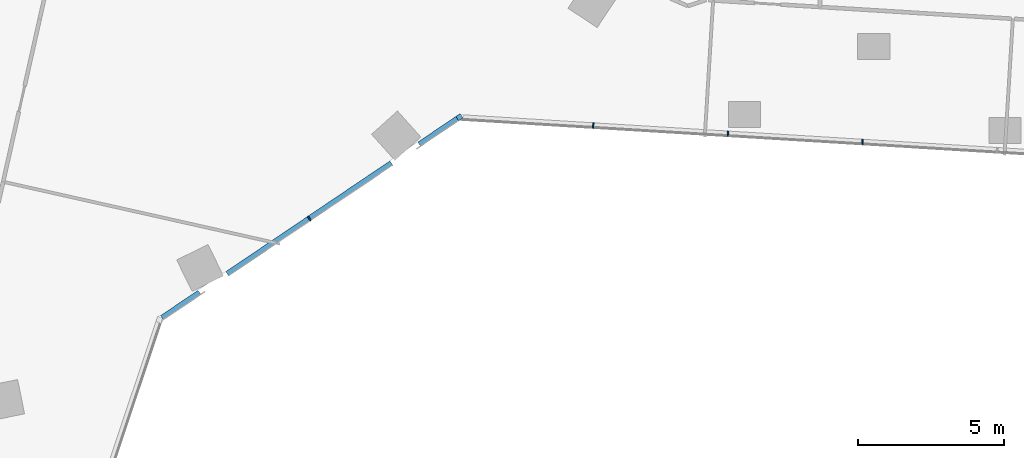
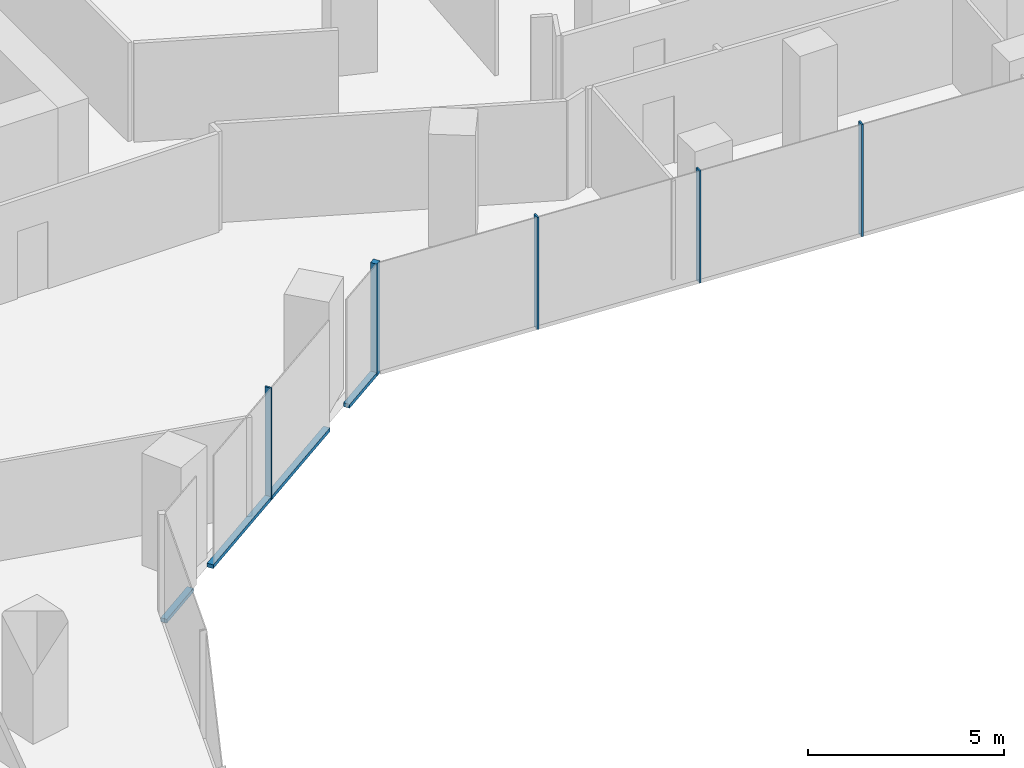
# One storey, part 7 of 32: 8 members, 2 elements without a shape of their own.
"""IFC4 building model written with IfcOpenShell, lengths in metres."""

from ifc_helpers import new_model, si_unit, direction, frame, origin, origin_2d, place, context, subcontext, project, spatial, rectangle, extrude, material, material_profile, profile_set, type_object, element, aggregate, save


model = new_model("IFC4")

# Units and contexts
model_context = context("Model", 3, precision=1e-05, world=origin(), true_north=direction((0.0, 1.0)))
body_context = subcontext(model_context, "Body", "Model", "MODEL_VIEW")
ifc_project = project(units=[si_unit("LENGTHUNIT", "METRE"), si_unit("AREAUNIT", "SQUARE_METRE"), si_unit("VOLUMEUNIT", "CUBIC_METRE"), si_unit("PLANEANGLEUNIT", "RADIAN"), si_unit("MASSUNIT", "GRAM", prefix="KILO")], contexts=[model_context])

# Site, building, storey
site_placement = place(None, origin())
site = spatial("IfcSite", under=ifc_project, at=site_placement, CompositionType="ELEMENT")
building_placement = place(site_placement, origin())
building = spatial("IfcBuilding", under=site, at=building_placement, Name="Orlundy Tower", CompositionType="ELEMENT")
storey_placement = place(building_placement, frame((0.0, 0.0, 149.10009765625)))
storey = spatial("IfcBuildingStorey", under=building, at=storey_placement, Name="L38", CompositionType="ELEMENT", Elevation=149.10009765625)

# Curtain wall, member
ifc_material_1 = material(Name="Aluminium bronze anodised", Category="aluminium")
curtain_wall_type = type_object("IfcCurtainWallType", Name="CW1 wall", PredefinedType="NOTDEFINED", material=ifc_material_1)
curtain_wall_1_placement = place(storey_placement, origin())
curtain_wall_1 = element("IfcCurtainWall", 1, at=curtain_wall_1_placement, inside=storey, type_object=curtain_wall_type, Name="CW1 run 01", PredefinedType="NOTDEFINED")
ifc_material_2 = material(Name="Aluminium bronze anodised", Category="aluminium")
ifc_material_profile_1 = material_profile(ifc_material_2, rectangle(XDim=0.179931640625, YDim=0.179931640625, at=origin_2d()), Name="CW1 corner post 180x180")
ifc_profile_set_1 = profile_set([ifc_material_profile_1], Name="Aluminium bronze anodised")
member_type_1 = type_object("IfcMemberType", Name="CW1 corner post 180x180", PredefinedType="MULLION", material=ifc_profile_set_1)
member_1_placement = place(storey_placement, frame((21.97705078125, -21.4716796875, -0.400146484375), z_axis=(0.0, 0.0, 1.0), x_axis=(0.559164711565, -0.829056587538, 0.0)))
member_1 = element("IfcMember", 2, at=member_1_placement, type_object=member_type_1, Name="CW1 mullion 7", PredefinedType="MULLION", context=body_context, shape_type="SweptSolid", body=[
    extrude(rectangle(XDim=0.179931640625, YDim=0.179931640625, at=origin_2d()), origin(), (0.0, 0.0, 1.0), 3.5),
])

# Curtain wall, members
curtain_wall_2_placement = place(storey_placement, origin())
curtain_wall_2 = element("IfcCurtainWall", 3, at=curtain_wall_2_placement, inside=storey, type_object=curtain_wall_type, Name="CW1 run 00", PredefinedType="NOTDEFINED")
ifc_material_3 = material(Name="Aluminium bronze anodised", Category="aluminium")
ifc_material_profile_2 = material_profile(ifc_material_3, rectangle(XDim=0.179931640625, YDim=0.050048828125, at=origin_2d()), Name="CW1 mullion 50x180")
ifc_profile_set_2 = profile_set([ifc_material_profile_2], Name="Aluminium bronze anodised")
member_type_2 = type_object("IfcMemberType", Name="CW1 mullion 50x180", PredefinedType="MULLION", material=ifc_profile_set_2)
member_2_placement = place(storey_placement, frame((35.8125, -22.31787109375, -0.400146484375), z_axis=(0.0, 0.0, 1.0), x_axis=(-0.061042738341, -0.998135153221, 0.0)))
member_2 = element("IfcMember", 4, at=member_2_placement, type_object=member_type_2, Name="CW1 mullion 4", PredefinedType="MULLION", context=body_context, shape_type="SweptSolid", body=[
    extrude(rectangle(XDim=0.179931640625, YDim=0.050048828125, at=origin_2d()), origin(), (0.0, 0.0, 1.0), 3.5),
])
member_3_placement = place(storey_placement, frame((31.1904296875, -22.03515625, -0.400146484375), z_axis=(0.0, 0.0, 1.0), x_axis=(-0.061042738341, -0.998135153221, 0.0)))
member_3 = element("IfcMember", 5, at=member_3_placement, type_object=member_type_2, Name="CW1 mullion 5", PredefinedType="MULLION", context=body_context, shape_type="SweptSolid", body=[
    extrude(rectangle(XDim=0.179931640625, YDim=0.050048828125, at=origin_2d()), origin(), (0.0, 0.0, 1.0), 3.5),
])
member_4_placement = place(storey_placement, frame((26.568603515625, -21.75244140625, -0.400146484375), z_axis=(0.0, 0.0, 1.0), x_axis=(-0.061042738341, -0.998135153221, 0.0)))
member_4 = element("IfcMember", 6, at=member_4_placement, type_object=member_type_2, Name="CW1 mullion 6", PredefinedType="MULLION", context=body_context, shape_type="SweptSolid", body=[
    extrude(rectangle(XDim=0.179931640625, YDim=0.050048828125, at=origin_2d()), origin(), (0.0, 0.0, 1.0), 3.5),
])
aggregate(curtain_wall_2, [member_2, member_3, member_4])

# Member
member_5_placement = place(storey_placement, frame((16.826416015625, -24.945556640625, -0.400146484375), z_axis=(0.0, 0.0, 1.0), x_axis=(0.559164711565, -0.829056587538, 0.0)))
member_5 = element("IfcMember", 7, at=member_5_placement, type_object=member_type_2, Name="CW1 mullion 8", PredefinedType="MULLION", context=body_context, shape_type="SweptSolid", body=[
    extrude(rectangle(XDim=0.179931640625, YDim=0.050048828125, at=origin_2d()), origin(), (0.0, 0.0, 1.0), 3.5),
])

ifc_material_4 = material(Name="Aluminium bronze anodised", Category="aluminium")
ifc_material_profile_3 = material_profile(ifc_material_4, rectangle(XDim=0.179931640625, YDim=0.1201171875, at=origin_2d()), Name="CW1 transom 180x120")
ifc_profile_set_3 = profile_set([ifc_material_profile_3], Name="Aluminium bronze anodised")
member_type_3 = type_object("IfcMemberType", Name="CW1 transom 180x120", PredefinedType="USERDEFINED", material=ifc_profile_set_3)
member_6_placement = place(storey_placement, frame((21.90234375, -21.52197265625, -0.340087890625), z_axis=(-0.829010314493, -0.559233313085, 0.0), x_axis=(0.559233313085, -0.829010314493, 0.0)))
member_6 = element("IfcMember", 8, at=member_6_placement, type_object=member_type_3, Name="CW1 transom", ObjectType="TRANSOM", PredefinedType="USERDEFINED", context=body_context, shape_type="SweptSolid", body=[
    extrude(rectangle(XDim=0.179931640625, YDim=0.1201171875, at=origin_2d()), origin(), (0.0, 0.0, 1.0), 1.575439453125),
])

member_7_placement = place(storey_placement, frame((19.64306640625, -23.0458984375, -0.340087890625), z_axis=(-0.829070192191, -0.559144539828, 0.0), x_axis=(0.559144539828, -0.829070192191, 0.0)))
member_7 = element("IfcMember", 9, at=member_7_placement, type_object=member_type_3, Name="CW1 transom", ObjectType="TRANSOM", PredefinedType="USERDEFINED", context=body_context, shape_type="SweptSolid", body=[
    extrude(rectangle(XDim=0.179931640625, YDim=0.1201171875, at=origin_2d()), origin(), (0.0, 0.0, 1.0), 6.79541015625),
])

member_8_placement = place(storey_placement, frame((13.0546875, -27.4892578125, -0.340087890625), z_axis=(-0.828960042041, -0.55930783, 0.0), x_axis=(0.55930783, -0.828960042041, 0.0)))
member_8 = element("IfcMember", 10, at=member_8_placement, type_object=member_type_3, Name="CW1 transom", ObjectType="TRANSOM", PredefinedType="USERDEFINED", context=body_context, shape_type="SweptSolid", body=[
    extrude(rectangle(XDim=0.179931640625, YDim=0.1201171875, at=origin_2d()), origin(), (0.0, 0.0, 1.0), 1.550048828125),
])

aggregate(curtain_wall_1, [member_1, member_5, member_6, member_7, member_8])

save(model, "model.ifc")
